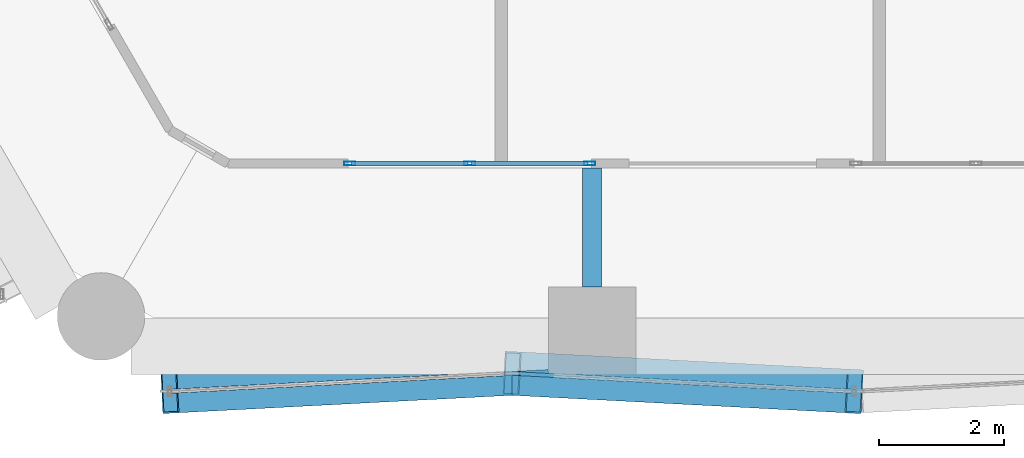
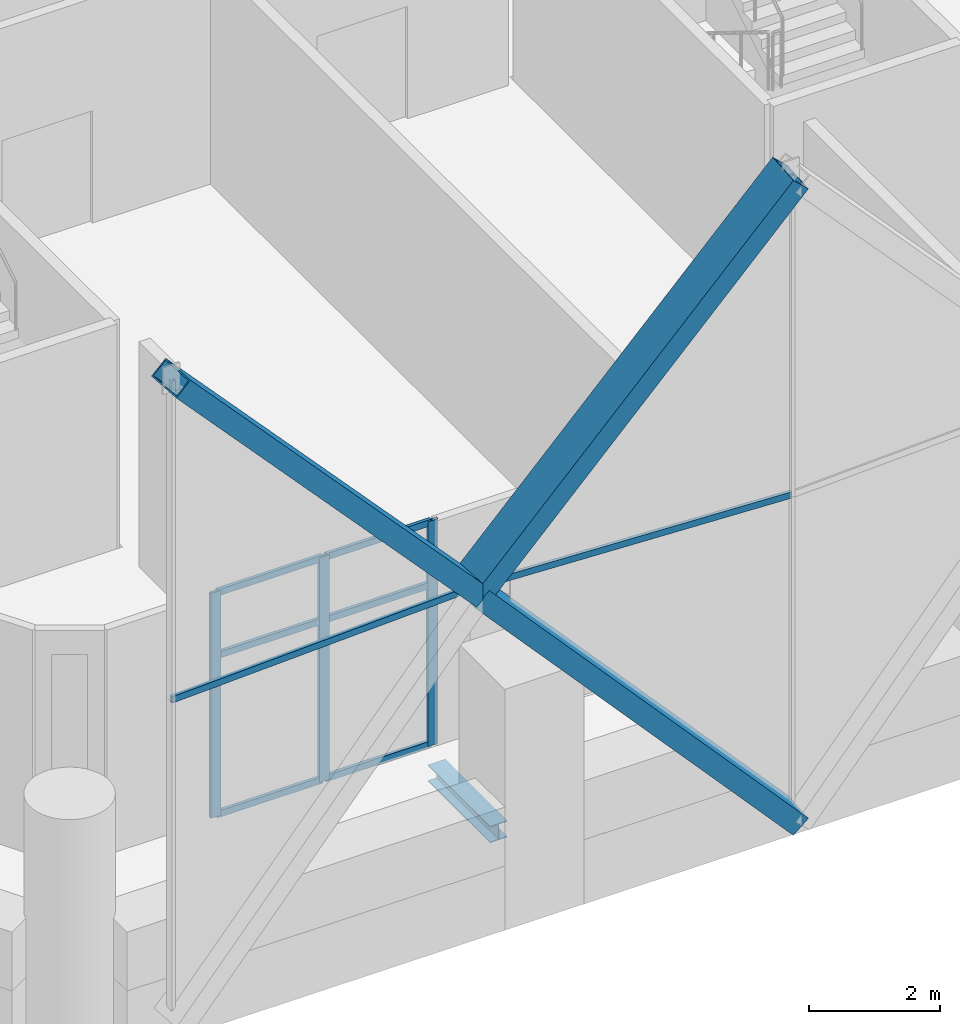
# One storey, part 8 of 46: 14 members, 1 beam, 2 elements without a shape of their own.
"""IFC4 building model written with IfcOpenShell, lengths in metres."""

from ifc_helpers import new_model, si_unit, direction, frame, origin, origin_2d, place, context, subcontext, project, spatial, hollow_rectangle, i_section, extrude, material, material_profile, profile_set, type_object, element, aggregate, save


model = new_model("IFC4")

# Units and contexts
model_context = context("Model", 3, precision=1e-05, world=origin(), true_north=direction((0.0, 1.0)))
body_context = subcontext(model_context, "Body", "Model", "MODEL_VIEW")
ifc_project = project(units=[si_unit("LENGTHUNIT", "METRE"), si_unit("AREAUNIT", "SQUARE_METRE"), si_unit("VOLUMEUNIT", "CUBIC_METRE"), si_unit("PLANEANGLEUNIT", "RADIAN"), si_unit("MASSUNIT", "GRAM", prefix="KILO")], contexts=[model_context])

# Site, building, storey
site_placement = place(None, origin())
site = spatial("IfcSite", under=ifc_project, at=site_placement, CompositionType="ELEMENT")
building_placement = place(site_placement, origin())
building = spatial("IfcBuilding", under=site, at=building_placement, Name="Ostrander Bayou Hotel Tower", CompositionType="ELEMENT")
storey_placement = place(building_placement, frame((0.0, 0.0, 23.5)))
storey = spatial("IfcBuildingStorey", under=building, at=storey_placement, Name="L05", CompositionType="ELEMENT", Elevation=23.5)

# Curtain wall, members
ifc_material_1 = material(Name="Aluminium and clear glass", Category="aluminium")
curtain_wall_type_1 = type_object("IfcCurtainWallType", Name="CW-LAT lattice glazing", PredefinedType="NOTDEFINED", material=ifc_material_1)
curtain_wall_1_placement = place(storey_placement, origin())
curtain_wall_1 = element("IfcCurtainWall", 1, at=curtain_wall_1_placement, inside=storey, type_object=curtain_wall_type_1, Name="CW-LAT L05 S 2", PredefinedType="NOTDEFINED")
ifc_material_2 = material(Name="Aluminium", Category="aluminium")
ifc_material_profile_1 = material_profile(ifc_material_2, hollow_rectangle(XDim=0.06005859375, YDim=0.1201171875, WallThickness=0.00390625, at=origin_2d()))
ifc_profile_set_1 = profile_set([ifc_material_profile_1], Name="Aluminium")
member_type_1 = type_object("IfcMemberType", Name="CW-LA transom 60 x 120 mm", PredefinedType="USERDEFINED", material=ifc_profile_set_1)
member_1_placement = place(storey_placement, frame((-10.95068359375, -22.070068359375, 5.39990234375), z_axis=(0.998629151189, 0.052343274597, 0.0), x_axis=(-0.052343274597, 0.998629151189, 0.0)))
member_1 = element("IfcMember", 2, at=member_1_placement, type_object=member_type_1, Name="CW-LAT transom 3", ObjectType="TRANSOM", PredefinedType="USERDEFINED", context=body_context, shape_type="SweptSolid", body=[
    extrude(hollow_rectangle(XDim=0.06005859375, YDim=0.1201171875, WallThickness=0.00390625, at=origin_2d()), origin(), (0.0, 0.0, 1.0), 6.0634765625),
])
member_2_placement = place(storey_placement, frame((0.0, -22.070068359375, 5.39990234375), z_axis=(-0.998630347454, 0.052320446705, 0.0), x_axis=(-0.052320446705, -0.998630347454, 0.0)))
member_2 = element("IfcMember", 3, at=member_2_placement, type_object=member_type_1, Name="CW-LAT transom 6", ObjectType="TRANSOM", PredefinedType="USERDEFINED", context=body_context, shape_type="SweptSolid", body=[
    extrude(hollow_rectangle(XDim=0.06005859375, YDim=0.1201171875, WallThickness=0.00390625, at=origin_2d()), origin(), (0.0, 0.0, 1.0), 5.48291015625),
])
aggregate(curtain_wall_1, [member_1, member_2])

ifc_material_3 = material(Name="Aluminium and clear glass", Category="aluminium")
curtain_wall_type_2 = type_object("IfcCurtainWallType", Name="CW-SKY amenity glass wall", PredefinedType="NOTDEFINED", material=ifc_material_3)
curtain_wall_2_placement = place(storey_placement, origin())
curtain_wall_2 = element("IfcCurtainWall", 4, at=curtain_wall_2_placement, inside=storey, type_object=curtain_wall_type_2, Name="CW-SKY L05 S 1", PredefinedType="NOTDEFINED")
ifc_material_4 = material(Name="Aluminium", Category="aluminium")
ifc_material_profile_2 = material_profile(ifc_material_4, hollow_rectangle(XDim=0.06005859375, YDim=0.179931640625, WallThickness=0.00390625, at=origin_2d()))
ifc_profile_set_2 = profile_set([ifc_material_profile_2], Name="Aluminium")
member_type_2 = type_object("IfcMemberType", Name="CW-SK mullion 60 x 180 mm", PredefinedType="MULLION", material=ifc_profile_set_2)
member_3_placement = place(storey_placement, frame((-8.070068359375, -18.425048828125, 0.0), z_axis=(0.0, 0.0, 1.0), x_axis=(0.0, 1.0, 0.0)))
member_3 = element("IfcMember", 5, at=member_3_placement, type_object=member_type_2, Name="CW-SKY mullion 1", PredefinedType="MULLION", context=body_context, shape_type="SweptSolid", body=[
    extrude(hollow_rectangle(XDim=0.06005859375, YDim=0.179931640625, WallThickness=0.00390625, at=origin_2d()), origin(), (0.0, 0.0, 1.0), 4.199951171875),
])
member_4_placement = place(storey_placement, frame((-6.14990234375, -18.425048828125, 0.0), z_axis=(0.0, 0.0, 1.0), x_axis=(0.0, 1.0, 0.0)))
member_4 = element("IfcMember", 6, at=member_4_placement, type_object=member_type_2, Name="CW-SKY mullion 2", PredefinedType="MULLION", context=body_context, shape_type="SweptSolid", body=[
    extrude(hollow_rectangle(XDim=0.06005859375, YDim=0.179931640625, WallThickness=0.00390625, at=origin_2d()), origin(), (0.0, 0.0, 1.0), 4.199951171875),
])
member_5_placement = place(storey_placement, frame((-4.22998046875, -18.425048828125, 0.0), z_axis=(0.0, 0.0, 1.0), x_axis=(0.0, 1.0, 0.0)))
member_5 = element("IfcMember", 7, at=member_5_placement, type_object=member_type_2, Name="CW-SKY mullion 3", PredefinedType="MULLION", context=body_context, shape_type="SweptSolid", body=[
    extrude(hollow_rectangle(XDim=0.06005859375, YDim=0.179931640625, WallThickness=0.00390625, at=origin_2d()), origin(), (0.0, 0.0, 1.0), 4.199951171875),
])
ifc_material_5 = material(Name="Aluminium", Category="aluminium")
ifc_material_profile_3 = material_profile(ifc_material_5, hollow_rectangle(XDim=0.06005859375, YDim=0.1201171875, WallThickness=0.00390625, at=origin_2d()))
ifc_profile_set_3 = profile_set([ifc_material_profile_3], Name="Aluminium")
member_type_3 = type_object("IfcMemberType", Name="CW-SK transom 60 x 120 mm", PredefinedType="USERDEFINED", material=ifc_profile_set_3)
member_6_placement = place(storey_placement, frame((-8.0400390625, -18.425048828125, 0.030029296875), z_axis=(1.0, 0.0, 0.0), x_axis=(0.0, 1.0, 0.0)))
member_6 = element("IfcMember", 8, at=member_6_placement, type_object=member_type_3, Name="CW-SKY transom 1.1", ObjectType="TRANSOM", PredefinedType="USERDEFINED", context=body_context, shape_type="SweptSolid", body=[
    extrude(hollow_rectangle(XDim=0.06005859375, YDim=0.1201171875, WallThickness=0.00390625, at=origin_2d()), origin(), (0.0, 0.0, 1.0), 1.860107421875),
])
member_7_placement = place(storey_placement, frame((-8.0400390625, -18.425048828125, 3.0), z_axis=(1.0, 0.0, 0.0), x_axis=(0.0, 1.0, 0.0)))
member_7 = element("IfcMember", 9, at=member_7_placement, type_object=member_type_3, Name="CW-SKY transom 1.2", ObjectType="TRANSOM", PredefinedType="USERDEFINED", context=body_context, shape_type="SweptSolid", body=[
    extrude(hollow_rectangle(XDim=0.06005859375, YDim=0.1201171875, WallThickness=0.00390625, at=origin_2d()), origin(), (0.0, 0.0, 1.0), 1.860107421875),
])
member_8_placement = place(storey_placement, frame((-8.0400390625, -18.425048828125, 4.169921875), z_axis=(1.0, 0.0, 0.0), x_axis=(0.0, 1.0, 0.0)))
member_8 = element("IfcMember", 10, at=member_8_placement, type_object=member_type_3, Name="CW-SKY transom 1.3", ObjectType="TRANSOM", PredefinedType="USERDEFINED", context=body_context, shape_type="SweptSolid", body=[
    extrude(hollow_rectangle(XDim=0.06005859375, YDim=0.1201171875, WallThickness=0.00390625, at=origin_2d()), origin(), (0.0, 0.0, 1.0), 1.860107421875),
])
member_9_placement = place(storey_placement, frame((-6.1201171875, -18.425048828125, 0.030029296875), z_axis=(1.0, 0.0, 0.0), x_axis=(0.0, 1.0, 0.0)))
member_9 = element("IfcMember", 11, at=member_9_placement, type_object=member_type_3, Name="CW-SKY transom 2.1", ObjectType="TRANSOM", PredefinedType="USERDEFINED", context=body_context, shape_type="SweptSolid", body=[
    extrude(hollow_rectangle(XDim=0.06005859375, YDim=0.1201171875, WallThickness=0.00390625, at=origin_2d()), origin(), (0.0, 0.0, 1.0), 1.860107421875),
])
member_10_placement = place(storey_placement, frame((-6.1201171875, -18.425048828125, 3.0), z_axis=(1.0, 0.0, 0.0), x_axis=(0.0, 1.0, 0.0)))
member_10 = element("IfcMember", 12, at=member_10_placement, type_object=member_type_3, Name="CW-SKY transom 2.2", ObjectType="TRANSOM", PredefinedType="USERDEFINED", context=body_context, shape_type="SweptSolid", body=[
    extrude(hollow_rectangle(XDim=0.06005859375, YDim=0.1201171875, WallThickness=0.00390625, at=origin_2d()), origin(), (0.0, 0.0, 1.0), 1.860107421875),
])
member_11_placement = place(storey_placement, frame((-6.1201171875, -18.425048828125, 4.169921875), z_axis=(1.0, 0.0, 0.0), x_axis=(0.0, 1.0, 0.0)))
member_11 = element("IfcMember", 13, at=member_11_placement, type_object=member_type_3, Name="CW-SKY transom 2.3", ObjectType="TRANSOM", PredefinedType="USERDEFINED", context=body_context, shape_type="SweptSolid", body=[
    extrude(hollow_rectangle(XDim=0.06005859375, YDim=0.1201171875, WallThickness=0.00390625, at=origin_2d()), origin(), (0.0, 0.0, 1.0), 1.860107421875),
])
aggregate(curtain_wall_2, [member_3, member_4, member_5, member_6, member_7, member_8, member_9, member_10, member_11])

# Beam
ifc_material_6 = material(Name="Steel ASTM A992", Category="steel")
ifc_material_profile_4 = material_profile(ifc_material_6, i_section(OverallWidth=0.3046875, OverallDepth=0.307861328125, WebThickness=0.010009765625, FlangeThickness=0.015380859375, at=origin_2d()))
ifc_profile_set_4 = profile_set([ifc_material_profile_4], Name="Steel ASTM A992")
beam_type = type_object("IfcBeamType", Name="LB1 loggia bracket W12x65", PredefinedType="BEAM", material=ifc_profile_set_4)
beam_placement = place(storey_placement, frame((-4.1953125, -20.39990234375, -0.453857421875), z_axis=(0.0, 1.0, 0.0), x_axis=(-1.0, 0.0, 0.0)))
element("IfcBeam", 14, at=beam_placement, inside=storey, type_object=beam_type, Name="LB1 L05 S1", PredefinedType="BEAM", context=body_context, shape_type="SweptSolid", body=[
    extrude(i_section(OverallWidth=0.3046875, OverallDepth=0.307861328125, WebThickness=0.010009765625, FlangeThickness=0.015380859375, at=origin_2d()), origin(), (0.0, 0.0, 1.0), 1.89990234375),
])

# Members
ifc_material_7 = material(Name="Steel ASTM A572 Gr 50", Category="steel")
ifc_material_profile_5 = material_profile(ifc_material_7, hollow_rectangle(XDim=0.699951171875, YDim=0.35009765625, WallThickness=0.02490234375, at=origin_2d()))
ifc_profile_set_5 = profile_set([ifc_material_profile_5], Name="Steel ASTM A572 Gr 50")
member_type_4 = type_object("IfcMemberType", Name="LT1 lattice member box 700 x 350 x 25 mm", PredefinedType="BRACE", material=ifc_profile_set_5)
for number, where, z_axis, x_axis, name in (
    (15, (-5.475341796875, -21.783203125, 5.39990234375), (-0.673653383854, -0.03529418674, 0.738204198582), (0.052320446705, -0.998630347454, 0.0), "LT1 L05 S 2"),
    (16, (-5.475341796875, -21.783203125, 5.39990234375), (0.673653383854, -0.03529418674, -0.738204198582), (0.052320446705, 0.998630347454, 0.0), "LT1 L05 S 3"),
    (17, (-5.475341796875, -21.783203125, 5.39990234375), (0.673653383854, -0.03529418674, 0.738204198582), (0.052320446705, 0.998630347454, 0.0), "LT1 L05 S 4"),
):
    element("IfcMember", number, at=place(storey_placement, frame(where, z_axis=z_axis, x_axis=x_axis)), inside=storey, type_object=member_type_4, Name=name, PredefinedType="BRACE", context=body_context, shape_type="SweptSolid", body=[
        extrude(hollow_rectangle(XDim=0.699951171875, YDim=0.35009765625, WallThickness=0.02490234375, at=origin_2d()), origin(), (0.0, 0.0, 1.0), 8.1279296875),
    ])

save(model, "model.ifc")
